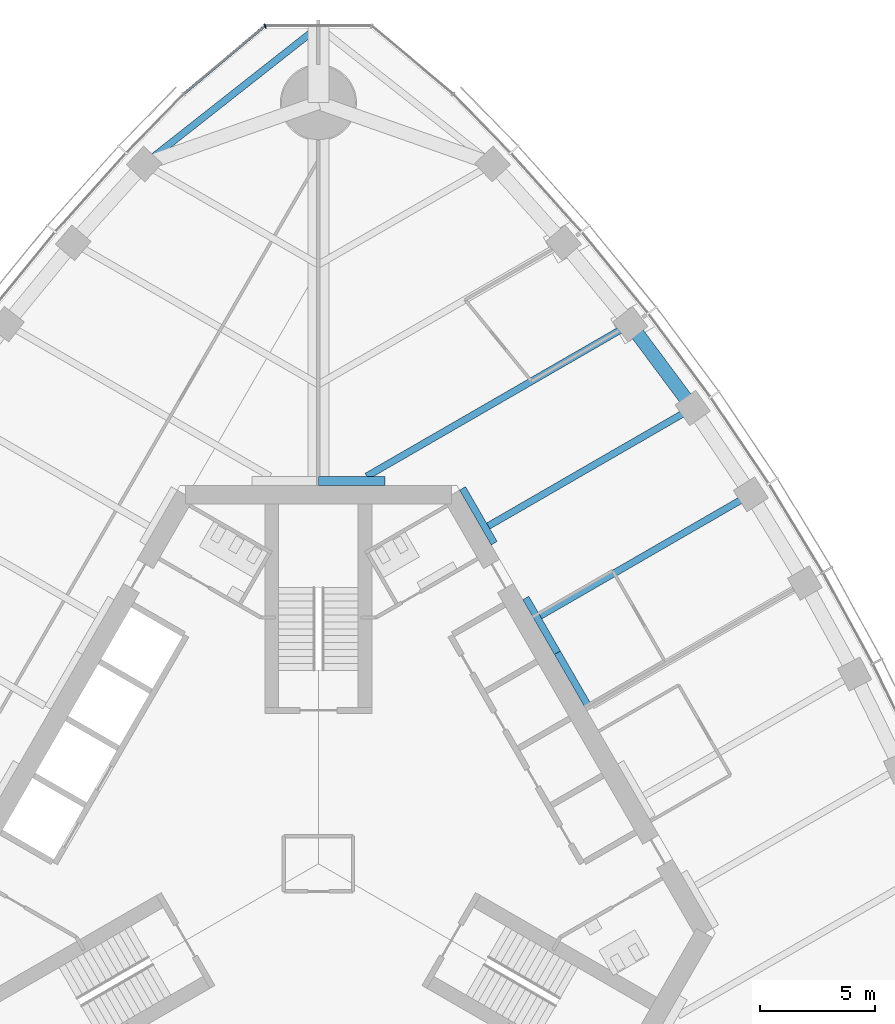
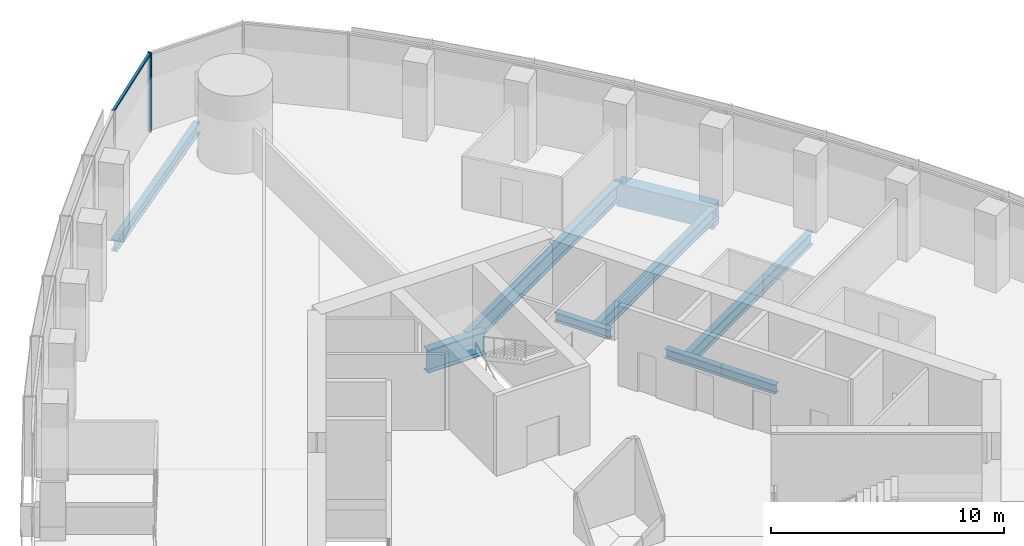
# One storey, part 6 of 19: 9 beams, 2 members, 1 element without a shape of its own.
"""IFC4 building model written with IfcOpenShell, lengths in metres."""

from ifc_helpers import new_model, si_unit, direction, frame, origin, origin_2d, place, context, subcontext, project, spatial, rectangle, i_section, extrude, material, material_profile, profile_set, type_object, element, aggregate, save


model = new_model("IFC4")

# Units and contexts
model_context = context("Model", 3, precision=1e-05, world=origin(), true_north=direction((0.0, 1.0)))
body_context = subcontext(model_context, "Body", "Model", "MODEL_VIEW")
ifc_project = project(units=[si_unit("LENGTHUNIT", "METRE"), si_unit("AREAUNIT", "SQUARE_METRE"), si_unit("VOLUMEUNIT", "CUBIC_METRE"), si_unit("PLANEANGLEUNIT", "RADIAN"), si_unit("MASSUNIT", "GRAM", prefix="KILO")], contexts=[model_context])

# Site, building, storey
site_placement = place(None, origin())
site = spatial("IfcSite", under=ifc_project, at=site_placement, CompositionType="ELEMENT")
building_placement = place(site_placement, origin())
building = spatial("IfcBuilding", under=site, at=building_placement, Name="Trefoil Bronze Tower", CompositionType="ELEMENT")
storey_placement = place(building_placement, frame((0.0, 0.0, 206.5)))
storey = spatial("IfcBuildingStorey", under=building, at=storey_placement, Name="L47", CompositionType="ELEMENT", Elevation=206.5)

# Curtain wall, members
ifc_material_1 = material(Name="Tinted solar-control glass", Category="glass")
curtain_wall_type = type_object("IfcCurtainWallType", Name="Bronze rounded corner curtain wall", PredefinedType="USERDEFINED", material=ifc_material_1)
curtain_wall_placement = place(storey_placement, origin())
curtain_wall = element("IfcCurtainWall", 1, at=curtain_wall_placement, inside=storey, type_object=curtain_wall_type, Name="CW-B L47 K2", ObjectType="CURTAIN WALL", PredefinedType="USERDEFINED")
ifc_material_2 = material(Name="Bronze-finish aluminium", Category="aluminium")
ifc_material_profile_1 = material_profile(ifc_material_2, rectangle(XDim=0.199951171875, YDim=0.06005859375, at=origin_2d()), Name="CW-B mullion")
ifc_profile_set_1 = profile_set([ifc_material_profile_1], Name="Bronze-finish aluminium")
member_type_1 = type_object("IfcMemberType", Name="Bronze rounded corner curtain wall mullion", PredefinedType="MULLION", material=ifc_profile_set_1)
member_1_placement = place(storey_placement, frame((-2.314453125, 36.326416015625, 0.0), z_axis=(0.0, 0.0, 1.0), x_axis=(0.342020143326, -0.939692620786, 0.0)))
member_1 = element("IfcMember", 2, at=member_1_placement, type_object=member_type_1, Name="CW-B L47 K2 mullion 3", PredefinedType="MULLION", context=body_context, shape_type="SweptSolid", body=[
    extrude(rectangle(XDim=0.199951171875, YDim=0.06005859375, at=origin_2d()), origin(), (0.0, 0.0, 1.0), 4.179931640625),
])
ifc_material_3 = material(Name="Bronze-finish aluminium", Category="aluminium")
ifc_material_profile_2 = material_profile(ifc_material_3, rectangle(XDim=0.1201171875, YDim=0.10009765625, at=origin_2d()), Name="CW-B transom")
ifc_profile_set_2 = profile_set([ifc_material_profile_2], Name="Bronze-finish aluminium")
member_type_2 = type_object("IfcMemberType", Name="Bronze rounded corner curtain wall transom", PredefinedType="USERDEFINED", material=ifc_profile_set_2)
member_2_placement = place(storey_placement, frame((-2.367431640625, 36.289794921875, 4.1298828125), z_axis=(-0.766046761698, -0.642784846501, 0.0), x_axis=(0.642784846501, -0.766046761698, 0.0)))
member_2 = element("IfcMember", 3, at=member_2_placement, type_object=member_type_2, Name="CW-B L47 K2 transom 3", ObjectType="TRANSOM", PredefinedType="USERDEFINED", context=body_context, shape_type="SweptSolid", body=[
    extrude(rectangle(XDim=0.1201171875, YDim=0.10009765625, at=origin_2d()), origin(), (0.0, 0.0, 1.0), 4.5),
])
aggregate(curtain_wall, [member_1, member_2])

# Beams
ifc_material_4 = material(Name="Steel C355", Category="steel")
ifc_material_profile_3 = material_profile(ifc_material_4, i_section(OverallWidth=0.300048828125, OverallDepth=0.5, WebThickness=0.014404296875, FlangeThickness=0.028076171875, FilletRadius=0.027099609375, at=origin_2d()), Name="HEB 500")
ifc_profile_set_3 = profile_set([ifc_material_profile_3], Name="Steel C355")
beam_type_1 = type_object("IfcBeamType", Name="Core seat beam HEB 500", PredefinedType="BEAM", material=ifc_profile_set_3)
for number, where, z_axis, x_axis, name in (
    (4, (11.734619140625, 6.77490234375, -0.449951171875), (-0.499969057507, 0.866043267704, 0.0), (-0.866043267704, -0.499969057507, 0.0), "Core seat beam F2/+0 L47"),
    (5, (10.363525390625, 9.14990234375, -0.449951171875), (-0.500035825175, 0.866004719122, 0.0), (-0.866004719122, -0.500035825175, 0.0), "Core seat beam F2/+1 L47"),
    (6, (7.62109375, 13.89990234375, -0.449951171875), (-0.500035825175, 0.866004719122, 0.0), (-0.866004719122, -0.500035825175, 0.0), "Core seat beam F2/+2 L47"),
):
    element("IfcBeam", number, at=place(storey_placement, frame(where, z_axis=z_axis, x_axis=x_axis)), inside=storey, type_object=beam_type_1, Name=name, PredefinedType="BEAM", context=body_context, shape_type="SweptSolid", body=[
        extrude(i_section(OverallWidth=0.300048828125, OverallDepth=0.5, WebThickness=0.014404296875, FlangeThickness=0.028076171875, FilletRadius=0.027099609375, at=origin_2d()), origin(), (0.0, 0.0, 1.0), 2.742431640625),
    ])
ifc_material_5 = material(Name="Steel C355", Category="steel")
ifc_material_profile_4 = material_profile(ifc_material_5, i_section(OverallWidth=0.39990234375, OverallDepth=1.199951171875, WebThickness=0.02001953125, FlangeThickness=0.0400390625, FilletRadius=0.010009765625, at=origin_2d()), Name="WPG 1200")
ifc_profile_set_4 = profile_set([ifc_material_profile_4], Name="Steel C355")
beam_type_2 = type_object("IfcBeamType", Name="Core seat beam WPG 1200", PredefinedType="BEAM", material=ifc_profile_set_4)
beam_1_placement = place(storey_placement, frame((2.88671875, 16.60009765625, -0.800048828125), z_axis=(-1.0, 0.0, 0.0), x_axis=(0.0, -1.0, 0.0)))
element("IfcBeam", 7, at=beam_1_placement, inside=storey, type_object=beam_type_2, Name="Core seat beam F2/+3 L47", PredefinedType="BEAM", context=body_context, shape_type="SweptSolid", body=[
    extrude(i_section(OverallWidth=0.39990234375, OverallDepth=1.199951171875, WebThickness=0.02001953125, FlangeThickness=0.0400390625, FilletRadius=0.010009765625, at=origin_2d()), origin(), (0.0, 0.0, 1.0), 2.88671875),
])
ifc_material_6 = material(Name="Steel C355", Category="steel")
ifc_material_profile_5 = material_profile(ifc_material_6, i_section(OverallWidth=0.300048828125, OverallDepth=0.60009765625, WebThickness=0.015380859375, FlangeThickness=0.030029296875, FilletRadius=0.027099609375, at=origin_2d()), Name="HEB 600")
ifc_profile_set_5 = profile_set([ifc_material_profile_5], Name="Steel C355")
beam_type_3 = type_object("IfcBeamType", Name="Corner edge beam HEB 600", PredefinedType="BEAM", material=ifc_profile_set_5)
beam_2_placement = place(storey_placement, frame((-7.552001953125, 30.3408203125, -0.5), z_axis=(0.785805912008, 0.618473175371, 0.0), x_axis=(-0.618473175371, 0.785805912008, 0.0)))
element("IfcBeam", 8, at=beam_2_placement, inside=storey, type_object=beam_type_3, Name="Corner edge beam F3B L47", PredefinedType="BEAM", context=body_context, shape_type="SweptSolid", body=[
    extrude(i_section(OverallWidth=0.300048828125, OverallDepth=0.60009765625, WebThickness=0.015380859375, FlangeThickness=0.030029296875, FilletRadius=0.027099609375, at=origin_2d()), origin(), (0.0, 0.0, 1.0), 9.610595703125),
])
ifc_material_7 = material(Name="Steel C355", Category="steel")
ifc_material_profile_6 = material_profile(ifc_material_7, i_section(OverallWidth=0.300048828125, OverallDepth=0.699951171875, WebThickness=0.01708984375, FlangeThickness=0.031982421875, FilletRadius=0.027099609375, at=origin_2d()), Name="HEB 700")
ifc_profile_set_6 = profile_set([ifc_material_profile_6], Name="Steel C355")
beam_type_4 = type_object("IfcBeamType", Name="Floor beam HEB 700", PredefinedType="BEAM", material=ifc_profile_set_6)
beam_3_placement = place(storey_placement, frame((18.748046875, 16.020263671875, -0.550048828125), z_axis=(-0.866027918957, -0.499995643569, 0.0), x_axis=(0.499995643569, -0.866027918957, 0.0)))
element("IfcBeam", 9, at=beam_3_placement, inside=storey, type_object=beam_type_4, Name="Floor beam F2/+1 L47", PredefinedType="BEAM", context=body_context, shape_type="SweptSolid", body=[
    extrude(i_section(OverallWidth=0.300048828125, OverallDepth=0.699951171875, WebThickness=0.01708984375, FlangeThickness=0.031982421875, FilletRadius=0.027099609375, at=origin_2d()), origin(), (0.0, 0.0, 1.0), 10.54638671875),
])
beam_4_placement = place(storey_placement, frame((16.2265625, 19.7607421875, -0.550048828125), z_axis=(-0.866027856548, -0.499995751665, 0.0), x_axis=(0.499995751665, -0.866027856548, 0.0)))
element("IfcBeam", 10, at=beam_4_placement, inside=storey, type_object=beam_type_4, Name="Floor beam F2/+2 L47", PredefinedType="BEAM", context=body_context, shape_type="SweptSolid", body=[
    extrude(i_section(OverallWidth=0.300048828125, OverallDepth=0.699951171875, WebThickness=0.01708984375, FlangeThickness=0.031982421875, FilletRadius=0.027099609375, at=origin_2d()), origin(), (0.0, 0.0, 1.0), 10.23291015625),
])
ifc_material_8 = material(Name="Steel C355", Category="steel")
ifc_material_profile_7 = material_profile(ifc_material_8, i_section(OverallWidth=0.300048828125, OverallDepth=0.89990234375, WebThickness=0.0185546875, FlangeThickness=0.034912109375, FilletRadius=0.030029296875, at=origin_2d()), Name="HEB 900")
ifc_profile_set_7 = profile_set([ifc_material_profile_7], Name="Steel C355")
beam_type_5 = type_object("IfcBeamType", Name="Floor beam HEB 900", PredefinedType="BEAM", material=ifc_profile_set_7)
beam_5_placement = place(storey_placement, frame((13.522216796875, 23.3955078125, -0.64990234375), z_axis=(-0.866028399451, -0.499994811317, 0.0), x_axis=(0.499994811317, -0.866028399451, 0.0)))
element("IfcBeam", 11, at=beam_5_placement, inside=storey, type_object=beam_type_5, Name="Floor beam F2/+3 L47", PredefinedType="BEAM", context=body_context, shape_type="SweptSolid", body=[
    extrude(i_section(OverallWidth=0.300048828125, OverallDepth=0.89990234375, WebThickness=0.0185546875, FlangeThickness=0.034912109375, FilletRadius=0.030029296875, at=origin_2d()), origin(), (0.0, 0.0, 1.0), 13.191162109375),
])
ifc_material_9 = material(Name="Concrete B80", Category="concrete")
ifc_material_profile_8 = material_profile(ifc_material_9, rectangle(XDim=0.60009765625, YDim=1.199951171875, at=origin_2d()), Name="RC 600x1200")
ifc_profile_set_8 = profile_set([ifc_material_profile_8], Name="Concrete B80")
beam_type_6 = type_object("IfcBeamType", Name="Spandrel beam RC 600x1200", PredefinedType="SPANDREL", material=ifc_profile_set_8)
beam_6_placement = place(storey_placement, frame((16.2265625, 19.7607421875, -0.800048828125), z_axis=(-0.596926078257, 0.802296240236, 0.0), x_axis=(-0.802296240236, -0.596926078257, 0.0)))
element("IfcBeam", 12, at=beam_6_placement, inside=storey, type_object=beam_type_6, Name="Spandrel F2.9 L47", PredefinedType="SPANDREL", context=body_context, shape_type="SweptSolid", body=[
    extrude(rectangle(XDim=0.60009765625, YDim=1.199951171875, at=origin_2d()), origin(), (0.0, 0.0, 1.0), 4.530517578125),
])

save(model, "model.ifc")
